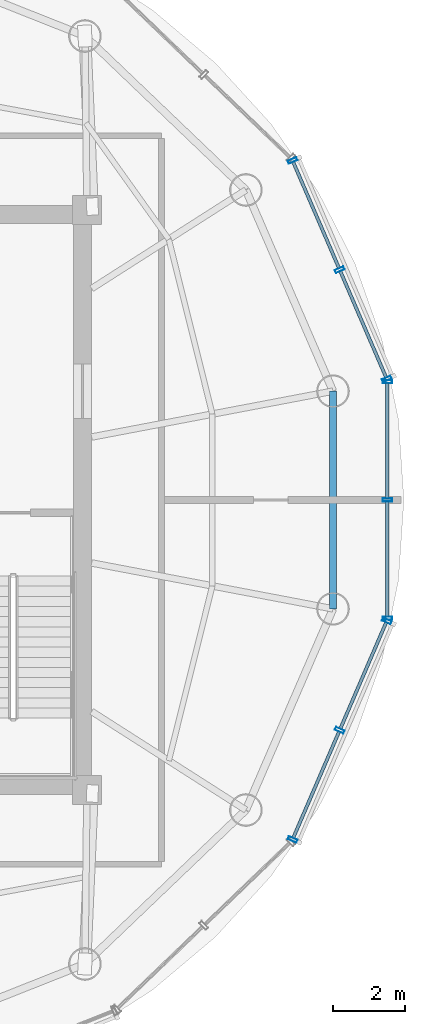
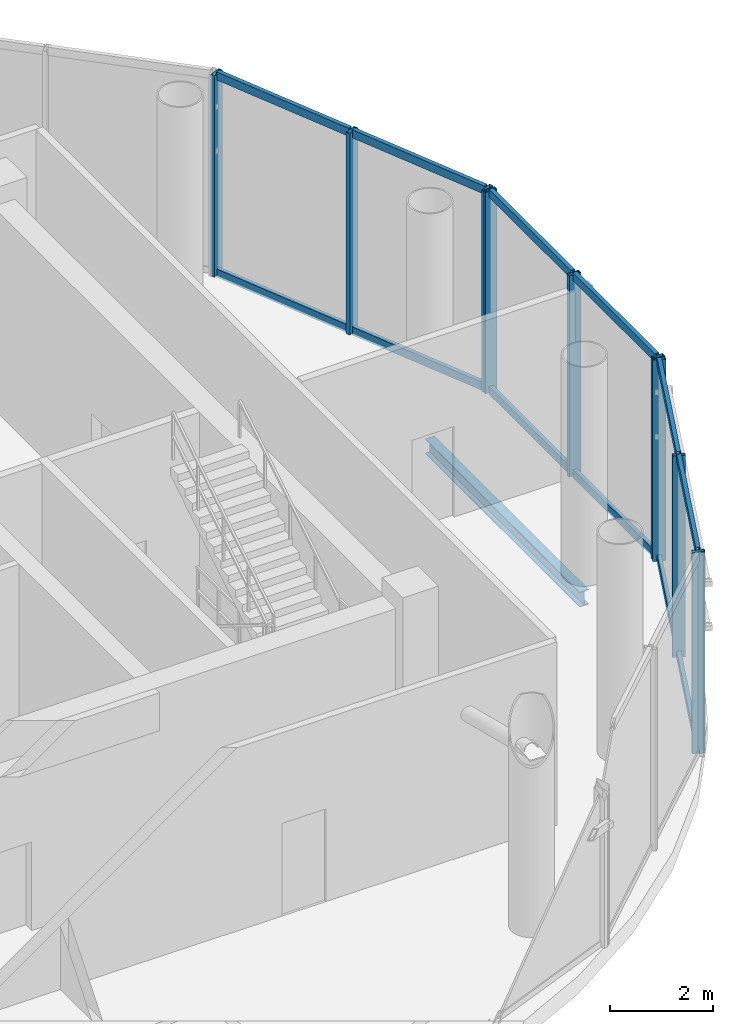
# One storey, part 9 of 15: 21 members, 1 beam, 3 elements without a shape of their own.
"""IFC4 building model written with IfcOpenShell, lengths in metres."""

from ifc_helpers import new_model, si_unit, direction, frame, origin, origin_2d, place, context, subcontext, project, spatial, hollow_rectangle, i_section, extrude, source, transform, mapped, material, material_profile, profile_set, type_object, element, aggregate, save


model = new_model("IFC4")

# Units and contexts
model_context = context("Model", 3, precision=1e-05, world=origin(), true_north=direction((-0.2419218956, 0.970295726276)))
body_context = subcontext(model_context, "Body", "Model", "MODEL_VIEW")
ifc_project = project(units=[si_unit("LENGTHUNIT", "METRE"), si_unit("AREAUNIT", "SQUARE_METRE"), si_unit("VOLUMEUNIT", "CUBIC_METRE"), si_unit("PLANEANGLEUNIT", "RADIAN"), si_unit("MASSUNIT", "GRAM", prefix="KILO")], contexts=[model_context])

# Site, building, storey
site_placement = place(None, origin())
site = spatial("IfcSite", under=ifc_project, at=site_placement, CompositionType="ELEMENT")
building_placement = place(site_placement, origin())
building = spatial("IfcBuilding", under=site, at=building_placement, Name="Cobrevalo Terracotta Tower", CompositionType="ELEMENT")
storey_placement = place(building_placement, frame((0.0, 0.0, 311.300048828125)))
storey = spatial("IfcBuildingStorey", under=building, at=storey_placement, Name="L81", CompositionType="ELEMENT", Elevation=311.300048828125)

# Beam
ifc_material_1 = material(Name="Steel S355", Category="steel")
ifc_material_profile_1 = material_profile(ifc_material_1, i_section(OverallWidth=0.205078125, OverallDepth=0.35400390625, WebThickness=0.009521484375, FlangeThickness=0.016845703125, at=origin_2d()), Name="W 360x79")
ifc_profile_set_1 = profile_set([ifc_material_profile_1], Name="Steel S355")
beam_type = type_object("IfcBeamType", Name="Structural Spandrel W 360x79 (Steel S355)", PredefinedType="SPANDREL", material=ifc_profile_set_1)
beam_placement = place(storey_placement, frame((53.79052734375, 23.795654296875, -0.59716796875), z_axis=(0.0, 1.0, 0.0), x_axis=(-1.0, 0.0, 0.0)))
element("IfcBeam", 1, at=beam_placement, inside=storey, type_object=beam_type, Name="L81 perimeter ring spandrel 16", PredefinedType="SPANDREL", context=body_context, shape_type="SweptSolid", body=[
    extrude(i_section(OverallWidth=0.205078125, OverallDepth=0.35400390625, WebThickness=0.009521484375, FlangeThickness=0.016845703125, at=origin_2d()), origin(), (0.0, 0.0, 1.0), 6.0087890625),
])

# Curtain wall, members
ifc_material_2 = material(Name="Anodized aluminium", Category="aluminium")
curtain_wall_type = type_object("IfcCurtainWallType", Name="Faceted glass-point crown structural glazing system CW-CR", PredefinedType="NOTDEFINED", material=ifc_material_2)
curtain_wall_1_placement = place(storey_placement, origin())
curtain_wall_1 = element("IfcCurtainWall", 2, at=curtain_wall_1_placement, inside=storey, type_object=curtain_wall_type, Name="L81 curtain wall CW-CRN-L81-S01", PredefinedType="NOTDEFINED")
ifc_material_profile_2 = material_profile(ifc_material_2, hollow_rectangle(XDim=0.090087890625, YDim=0.195068359375, WallThickness=0.005615234375, at=origin_2d()), Name="CWT 90x195")
ifc_profile_set_2 = profile_set([ifc_material_profile_2], Name="Anodized aluminium")
member_type_1 = type_object("IfcMemberType", Name="Crown structural aluminium transom 90x195", PredefinedType="USERDEFINED", material=ifc_profile_set_2)
shared_shape_1 = source(origin(), body_context, "Body", "SweptSolid", [
    extrude(hollow_rectangle(XDim=0.090087890625, YDim=0.195068359375, WallThickness=0.005615234375, at=origin_2d()), origin(), (0.0, 0.0, 1.0), 3.203369140625),
])
member_1_placement = place(storey_placement, frame((55.259521484375, 30.17626953125, 0.050048828125), z_axis=(-0.396015512265, 0.918243820587, 0.0), x_axis=(-0.918243820587, -0.396015512265, 0.0)))
member_1 = element("IfcMember", 3, at=member_1_placement, type_object=member_type_1, Name="CW-CRN-L81-S01 transom B01-T1", ObjectType="TRANSOM", PredefinedType="USERDEFINED", context=body_context, shape_type="MappedRepresentation", body=[
    mapped(shared_shape_1, transform((0.0, 0.0, 0.0), scale=1.0)),
])
member_2_placement = place(storey_placement, frame((55.259521484375, 30.17626953125, 4.72998046875), z_axis=(-0.396015512265, 0.918243820587, 0.0), x_axis=(-0.918243820587, -0.396015512265, 0.0)))
member_2 = element("IfcMember", 4, at=member_2_placement, type_object=member_type_1, Name="CW-CRN-L81-S01 transom B01-T2", ObjectType="TRANSOM", PredefinedType="USERDEFINED", context=body_context, shape_type="MappedRepresentation", body=[
    mapped(shared_shape_1, transform((0.0, 0.0, 0.0), scale=1.0)),
])
shared_shape_2 = source(origin(), body_context, "Body", "SweptSolid", [
    extrude(hollow_rectangle(XDim=0.090087890625, YDim=0.195068359375, WallThickness=0.005615234375, at=origin_2d()), origin(), (0.0, 0.0, 1.0), 3.203125),
])
member_3_placement = place(storey_placement, frame((53.959228515625, 33.191162109375, 0.050048828125), z_axis=(-0.396107491553, 0.918204146765, 0.0), x_axis=(-0.918204146765, -0.396107491553, 0.0)))
member_3 = element("IfcMember", 5, at=member_3_placement, type_object=member_type_1, Name="CW-CRN-L81-S01 transom B02-T1", ObjectType="TRANSOM", PredefinedType="USERDEFINED", context=body_context, shape_type="MappedRepresentation", body=[
    mapped(shared_shape_2, transform((0.0, 0.0, 0.0), scale=1.0)),
])
member_4_placement = place(storey_placement, frame((53.959228515625, 33.191162109375, 4.72998046875), z_axis=(-0.396107491553, 0.918204146765, 0.0), x_axis=(-0.918204146765, -0.396107491553, 0.0)))
member_4 = element("IfcMember", 6, at=member_4_placement, type_object=member_type_1, Name="CW-CRN-L81-S01 transom B02-T2", ObjectType="TRANSOM", PredefinedType="USERDEFINED", context=body_context, shape_type="MappedRepresentation", body=[
    mapped(shared_shape_2, transform((0.0, 0.0, 0.0), scale=1.0)),
])

curtain_wall_2_placement = place(storey_placement, origin())
curtain_wall_2 = element("IfcCurtainWall", 7, at=curtain_wall_2_placement, inside=storey, type_object=curtain_wall_type, Name="L81 curtain wall CW-CRN-L81-S15", PredefinedType="NOTDEFINED")
member_5_placement = place(storey_placement, frame((52.6904296875, 17.4677734375, 0.050048828125), z_axis=(0.396107491553, 0.918204146765, 0.0), x_axis=(-0.918204146765, 0.396107491553, 0.0)))
member_5 = element("IfcMember", 8, at=member_5_placement, type_object=member_type_1, Name="CW-CRN-L81-S15 transom B01-T1", ObjectType="TRANSOM", PredefinedType="USERDEFINED", context=body_context, shape_type="MappedRepresentation", body=[
    mapped(shared_shape_2, transform((0.0, 0.0, 0.0), scale=1.0)),
])
member_6_placement = place(storey_placement, frame((52.6904296875, 17.4677734375, 4.72998046875), z_axis=(0.396107491553, 0.918204146765, 0.0), x_axis=(-0.918204146765, 0.396107491553, 0.0)))
member_6 = element("IfcMember", 9, at=member_6_placement, type_object=member_type_1, Name="CW-CRN-L81-S15 transom B01-T2", ObjectType="TRANSOM", PredefinedType="USERDEFINED", context=body_context, shape_type="MappedRepresentation", body=[
    mapped(shared_shape_2, transform((0.0, 0.0, 0.0), scale=1.0)),
])
member_7_placement = place(storey_placement, frame((53.990966796875, 20.482421875, 0.050048828125), z_axis=(0.396043228921, 0.918231866592, 0.0), x_axis=(-0.918231866592, 0.396043228921, 0.0)))
member_7 = element("IfcMember", 10, at=member_7_placement, type_object=member_type_1, Name="CW-CRN-L81-S15 transom B02-T1", ObjectType="TRANSOM", PredefinedType="USERDEFINED", context=body_context, shape_type="MappedRepresentation", body=[
    mapped(shared_shape_2, transform((0.0, 0.0, 0.0), scale=1.0)),
])
member_8_placement = place(storey_placement, frame((53.990966796875, 20.482421875, 4.72998046875), z_axis=(0.396043228921, 0.918231866592, 0.0), x_axis=(-0.918231866592, 0.396043228921, 0.0)))
member_8 = element("IfcMember", 11, at=member_8_placement, type_object=member_type_1, Name="CW-CRN-L81-S15 transom B02-T2", ObjectType="TRANSOM", PredefinedType="USERDEFINED", context=body_context, shape_type="MappedRepresentation", body=[
    mapped(shared_shape_2, transform((0.0, 0.0, 0.0), scale=1.0)),
])

curtain_wall_3_placement = place(storey_placement, origin())
curtain_wall_3 = element("IfcCurtainWall", 12, at=curtain_wall_3_placement, inside=storey, type_object=curtain_wall_type, Name="L81 curtain wall CW-CRN-L81-S16", PredefinedType="NOTDEFINED")
shared_shape_3 = source(origin(), body_context, "Body", "SweptSolid", [
    extrude(hollow_rectangle(XDim=0.090087890625, YDim=0.195068359375, WallThickness=0.005615234375, at=origin_2d()), origin(), (0.0, 0.0, 1.0), 3.182861328125),
])
member_9_placement = place(storey_placement, frame((55.291259765625, 23.5771484375, 0.050048828125), z_axis=(0.0, 1.0, 0.0), x_axis=(-1.0, 0.0, 0.0)))
member_9 = element("IfcMember", 13, at=member_9_placement, type_object=member_type_1, Name="CW-CRN-L81-S16 transom B01-T1", ObjectType="TRANSOM", PredefinedType="USERDEFINED", context=body_context, shape_type="MappedRepresentation", body=[
    mapped(shared_shape_3, transform((0.0, 0.0, 0.0), scale=1.0)),
])
member_10_placement = place(storey_placement, frame((55.291259765625, 23.5771484375, 4.72998046875), z_axis=(0.0, 1.0, 0.0), x_axis=(-1.0, 0.0, 0.0)))
member_10 = element("IfcMember", 14, at=member_10_placement, type_object=member_type_1, Name="CW-CRN-L81-S16 transom B01-T2", ObjectType="TRANSOM", PredefinedType="USERDEFINED", context=body_context, shape_type="MappedRepresentation", body=[
    mapped(shared_shape_3, transform((0.0, 0.0, 0.0), scale=1.0)),
])
member_11_placement = place(storey_placement, frame((55.291259765625, 26.840087890625, 0.050048828125), z_axis=(0.0, 1.0, 0.0), x_axis=(-1.0, 0.0, 0.0)))
member_11 = element("IfcMember", 15, at=member_11_placement, type_object=member_type_1, Name="CW-CRN-L81-S16 transom B02-T1", ObjectType="TRANSOM", PredefinedType="USERDEFINED", context=body_context, shape_type="MappedRepresentation", body=[
    mapped(shared_shape_3, transform((0.0, 0.0, 0.0), scale=1.0)),
])
member_12_placement = place(storey_placement, frame((55.291259765625, 26.840087890625, 4.72998046875), z_axis=(0.0, 1.0, 0.0), x_axis=(-1.0, 0.0, 0.0)))
member_12 = element("IfcMember", 16, at=member_12_placement, type_object=member_type_1, Name="CW-CRN-L81-S16 transom B02-T2", ObjectType="TRANSOM", PredefinedType="USERDEFINED", context=body_context, shape_type="MappedRepresentation", body=[
    mapped(shared_shape_3, transform((0.0, 0.0, 0.0), scale=1.0)),
])

# Member
ifc_material_profile_3 = material_profile(ifc_material_2, hollow_rectangle(XDim=0.090087890625, YDim=0.260009765625, WallThickness=0.006103515625, at=origin_2d()), Name="CWM 90x260")
ifc_profile_set_3 = profile_set([ifc_material_profile_3], Name="Anodized aluminium")
member_type_2 = type_object("IfcMemberType", Name="Crown structural glass mullion 90x260", PredefinedType="MULLION", material=ifc_profile_set_3)
shared_shape_4 = source(origin(), body_context, "Body", "SweptSolid", [
    extrude(hollow_rectangle(XDim=0.090087890625, YDim=0.260009765625, WallThickness=0.006103515625, at=origin_2d()), origin(), (0.0, 0.0, 1.0), 4.780029296875),
])
member_13_placement = place(storey_placement, frame((55.275390625, 30.1396484375, 0.0), z_axis=(0.0, 0.0, 1.0), x_axis=(-0.396058398073, 0.918225323826, 0.0)))
member_13 = element("IfcMember", 17, at=member_13_placement, type_object=member_type_2, Name="CW-CRN-L81-S01 vertical mullion 01", PredefinedType="MULLION", context=body_context, shape_type="MappedRepresentation", body=[
    mapped(shared_shape_4, transform((0.0, 0.0, 0.0), scale=1.0)),
])

member_14_placement = place(storey_placement, frame((53.97509765625, 33.154296875, 0.0), z_axis=(0.0, 0.0, 1.0), x_axis=(-0.396058398073, 0.918225323826, 0.0)))
member_14 = element("IfcMember", 18, at=member_14_placement, type_object=member_type_2, Name="CW-CRN-L81-S01 vertical mullion 02", PredefinedType="MULLION", context=body_context, shape_type="MappedRepresentation", body=[
    mapped(shared_shape_4, transform((0.0, 0.0, 0.0), scale=1.0)),
])

member_15_placement = place(storey_placement, frame((52.674560546875, 36.169189453125, 0.0), z_axis=(0.0, 0.0, 1.0), x_axis=(-0.396058398073, 0.918225323826, 0.0)))
member_15 = element("IfcMember", 19, at=member_15_placement, type_object=member_type_2, Name="CW-CRN-L81-S01 vertical mullion 03", PredefinedType="MULLION", context=body_context, shape_type="MappedRepresentation", body=[
    mapped(shared_shape_4, transform((0.0, 0.0, 0.0), scale=1.0)),
])

aggregate(curtain_wall_1, [member_13, member_14, member_15, member_1, member_2, member_3, member_4])

member_16_placement = place(storey_placement, frame((52.674560546875, 17.430908203125, 0.0), z_axis=(0.0, 0.0, 1.0), x_axis=(0.396058398073, 0.918225323826, 0.0)))
member_16 = element("IfcMember", 20, at=member_16_placement, type_object=member_type_2, Name="CW-CRN-L81-S15 vertical mullion 01", PredefinedType="MULLION", context=body_context, shape_type="MappedRepresentation", body=[
    mapped(shared_shape_4, transform((0.0, 0.0, 0.0), scale=1.0)),
])

member_17_placement = place(storey_placement, frame((53.97509765625, 20.445556640625, 0.0), z_axis=(0.0, 0.0, 1.0), x_axis=(0.396058398073, 0.918225323826, 0.0)))
member_17 = element("IfcMember", 21, at=member_17_placement, type_object=member_type_2, Name="CW-CRN-L81-S15 vertical mullion 02", PredefinedType="MULLION", context=body_context, shape_type="MappedRepresentation", body=[
    mapped(shared_shape_4, transform((0.0, 0.0, 0.0), scale=1.0)),
])

member_18_placement = place(storey_placement, frame((55.275390625, 23.46044921875, 0.0), z_axis=(0.0, 0.0, 1.0), x_axis=(0.396058398073, 0.918225323826, 0.0)))
member_18 = element("IfcMember", 22, at=member_18_placement, type_object=member_type_2, Name="CW-CRN-L81-S15 vertical mullion 03", PredefinedType="MULLION", context=body_context, shape_type="MappedRepresentation", body=[
    mapped(shared_shape_4, transform((0.0, 0.0, 0.0), scale=1.0)),
])

aggregate(curtain_wall_2, [member_16, member_17, member_18, member_5, member_6, member_7, member_8])

member_19_placement = place(storey_placement, frame((55.291259765625, 23.537109375, 0.0), z_axis=(0.0, 0.0, 1.0), x_axis=(0.0, 1.0, 0.0)))
member_19 = element("IfcMember", 23, at=member_19_placement, type_object=member_type_2, Name="CW-CRN-L81-S16 vertical mullion 01", PredefinedType="MULLION", context=body_context, shape_type="MappedRepresentation", body=[
    mapped(shared_shape_4, transform((0.0, 0.0, 0.0), scale=1.0)),
])

member_20_placement = place(storey_placement, frame((55.291259765625, 26.800048828125, 0.0), z_axis=(0.0, 0.0, 1.0), x_axis=(0.0, 1.0, 0.0)))
member_20 = element("IfcMember", 24, at=member_20_placement, type_object=member_type_2, Name="CW-CRN-L81-S16 vertical mullion 02", PredefinedType="MULLION", context=body_context, shape_type="MappedRepresentation", body=[
    mapped(shared_shape_4, transform((0.0, 0.0, 0.0), scale=1.0)),
])

member_21_placement = place(storey_placement, frame((55.291259765625, 30.06298828125, 0.0), z_axis=(0.0, 0.0, 1.0), x_axis=(0.0, 1.0, 0.0)))
member_21 = element("IfcMember", 25, at=member_21_placement, type_object=member_type_2, Name="CW-CRN-L81-S16 vertical mullion 03", PredefinedType="MULLION", context=body_context, shape_type="MappedRepresentation", body=[
    mapped(shared_shape_4, transform((0.0, 0.0, 0.0), scale=1.0)),
])

aggregate(curtain_wall_3, [member_19, member_20, member_21, member_9, member_10, member_11, member_12])

save(model, "model.ifc")
